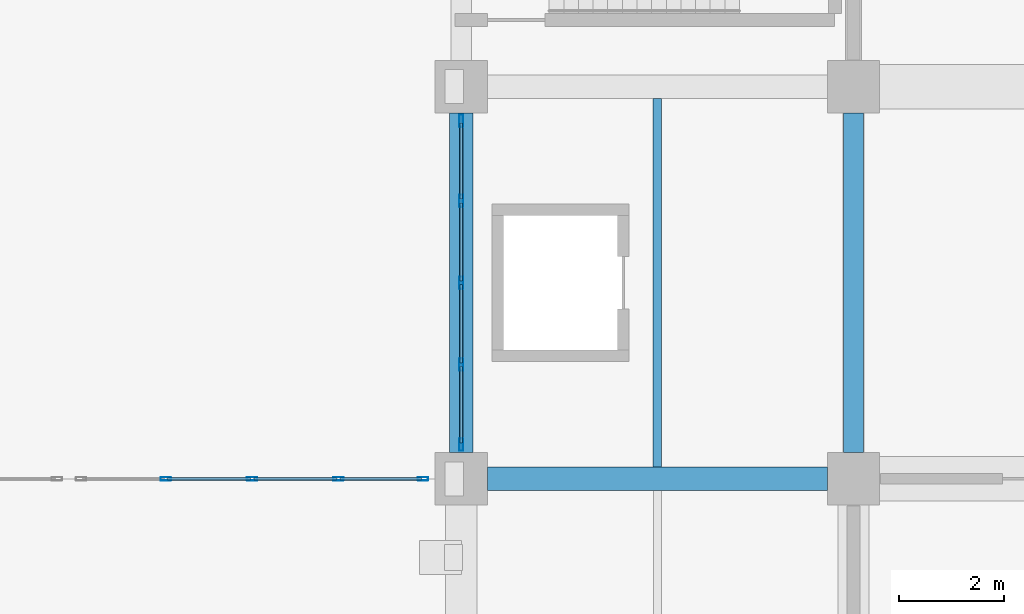
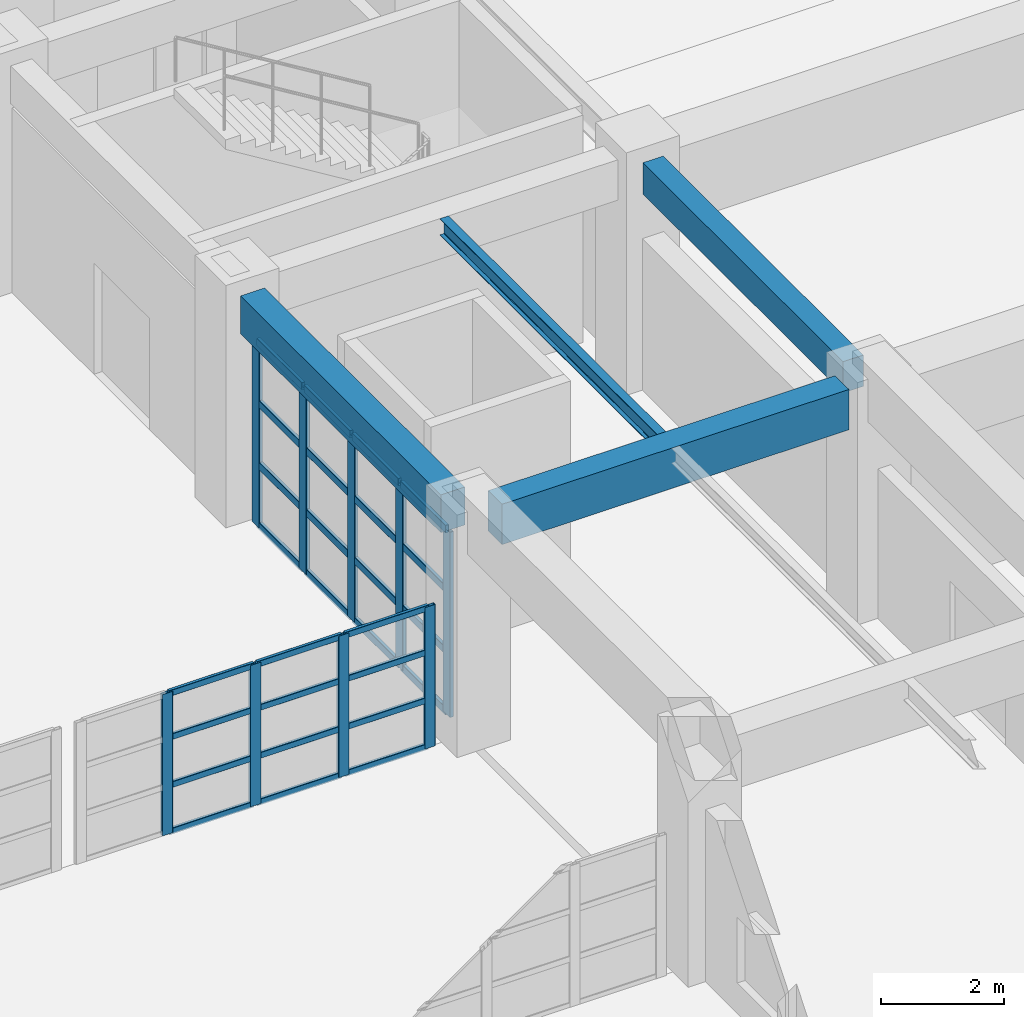
# One storey, part 20 of 122: 37 members, 4 beams, 2 elements without a shape of their own.
"""IFC4 building model written with IfcOpenShell, lengths in metres."""

from ifc_helpers import new_model, si_unit, direction, frame, origin, origin_2d, place, context, subcontext, project, spatial, rectangle, hollow_rectangle, i_section, extrude, material, material_profile, profile_set, type_object, element, aggregate, save


model = new_model("IFC4")

# Units and contexts
model_context = context("Model", 3, precision=1e-05, world=origin(), true_north=direction((0.0, 1.0)))
body_context = subcontext(model_context, "Body", "Model", "MODEL_VIEW")
ifc_project = project(units=[si_unit("LENGTHUNIT", "METRE"), si_unit("AREAUNIT", "SQUARE_METRE"), si_unit("VOLUMEUNIT", "CUBIC_METRE"), si_unit("PLANEANGLEUNIT", "RADIAN"), si_unit("MASSUNIT", "GRAM", prefix="KILO")], contexts=[model_context])

# Site, building, storey
site_placement = place(None, origin())
site = spatial("IfcSite", under=ifc_project, at=site_placement, CompositionType="ELEMENT")
building_placement = place(site_placement, origin())
building = spatial("IfcBuilding", under=site, at=building_placement, Name="Qasida Concert Hall", CompositionType="ELEMENT")
storey_placement = place(building_placement, origin())
storey = spatial("IfcBuildingStorey", under=building, at=storey_placement, Name="L00", CompositionType="ELEMENT", Elevation=0.0)

# Beams
ifc_material_1 = material(Name="Concrete C40/50", Category="concrete")
ifc_material_profile_1 = material_profile(ifc_material_1, rectangle(XDim=0.3798828125, YDim=0.6201171875, at=origin_2d()), Name="RC 380x620")
ifc_profile_set_1 = profile_set([ifc_material_profile_1], Name="Concrete C40/50")
beam_type_1 = type_object("IfcBeamType", Name="BM-B10", PredefinedType="BEAM", material=ifc_profile_set_1)
beam_1_placement = place(storey_placement, frame((60.0, 38.0, 4.18994140625), z_axis=(0.0, 1.0, 0.0), x_axis=(-1.0, 0.0, 0.0)))
element("IfcBeam", 1, at=beam_1_placement, inside=storey, type_object=beam_type_1, Name="L00 girder 0410", PredefinedType="BEAM", context=body_context, shape_type="SweptSolid", body=[
    extrude(rectangle(XDim=0.3798828125, YDim=0.6201171875, at=origin_2d()), origin(), (0.0, 0.0, 1.0), 6.5),
])
ifc_material_profile_2 = material_profile(ifc_material_1, rectangle(XDim=0.449951171875, YDim=0.800048828125, at=origin_2d()), Name="RC 450x800")
ifc_profile_set_2 = profile_set([ifc_material_profile_2], Name="Concrete C40/50")
beam_type_2 = type_object("IfcBeamType", Name="BM-G2", PredefinedType="USERDEFINED", material=ifc_profile_set_2)
beam_2_placement = place(storey_placement, frame((53.0, 37.5, 4.10009765625), z_axis=(1.0, 0.0, 0.0), x_axis=(0.0, 1.0, 0.0)))
element("IfcBeam", 2, at=beam_2_placement, inside=storey, type_object=beam_type_2, Name="Primary girder 0365", ObjectType="GIRDER", PredefinedType="USERDEFINED", context=body_context, shape_type="SweptSolid", body=[
    extrude(rectangle(XDim=0.449951171875, YDim=0.800048828125, at=origin_2d()), origin(), (0.0, 0.0, 1.0), 6.5),
])
ifc_material_2 = material(Name="Steel S355J2", Category="steel")
ifc_material_profile_3 = material_profile(ifc_material_2, i_section(OverallWidth=0.159912109375, OverallDepth=0.330078125, WebThickness=0.007568359375, FlangeThickness=0.011474609375, FilletRadius=0.01806640625, at=origin_2d()), Name="IPE 330")
ifc_profile_set_3 = profile_set([ifc_material_profile_3], Name="Steel S355J2")
beam_type_3 = type_object("IfcBeamType", Name="BM-J5", PredefinedType="JOIST", material=ifc_profile_set_3)
beam_3_placement = place(storey_placement, frame((56.25, 37.72509765625, 4.3349609375), z_axis=(0.0, 1.0, 0.0), x_axis=(-1.0, 0.0, 0.0)))
element("IfcBeam", 3, at=beam_3_placement, inside=storey, type_object=beam_type_3, Name="L00 secondary joist 0444", PredefinedType="JOIST", context=body_context, shape_type="SweptSolid", body=[
    extrude(i_section(OverallWidth=0.159912109375, OverallDepth=0.330078125, WebThickness=0.007568359375, FlangeThickness=0.011474609375, FilletRadius=0.01806640625, at=origin_2d()), origin(), (0.0, 0.0, 1.0), 7.0498046875),
])
ifc_material_profile_4 = material_profile(ifc_material_1, rectangle(XDim=0.449951171875, YDim=0.75, at=origin_2d()), Name="RC 450x750")
ifc_profile_set_4 = profile_set([ifc_material_profile_4], Name="Concrete C40/50")
beam_type_4 = type_object("IfcBeamType", Name="BM-SP4", PredefinedType="SPANDREL", material=ifc_profile_set_4)
beam_4_placement = place(storey_placement, frame((52.5, 38.0, 4.125), z_axis=(0.0, 1.0, 0.0), x_axis=(-1.0, 0.0, 0.0)))
element("IfcBeam", 4, at=beam_4_placement, inside=storey, type_object=beam_type_4, Name="L00 girder 0404", PredefinedType="SPANDREL", context=body_context, shape_type="SweptSolid", body=[
    extrude(rectangle(XDim=0.449951171875, YDim=0.75, at=origin_2d()), origin(), (0.0, 0.0, 1.0), 6.5),
])

# Curtain wall, members
ifc_material_3 = material(Name="Architectural bronze-anodized aluminium and low-E glass", Category="aluminium")
curtain_wall_type_1 = type_object("IfcCurtainWallType", Name="CW-01", PredefinedType="NOTDEFINED", material=ifc_material_3)
curtain_wall_1_placement = place(storey_placement, origin())
curtain_wall_1 = element("IfcCurtainWall", 5, at=curtain_wall_1_placement, inside=storey, type_object=curtain_wall_type_1, Name="L00 curtain wall CW-01 0037", PredefinedType="NOTDEFINED")
ifc_material_4 = material(Name="Architectural bronze-anodized aluminium EN AW-6063", Category="aluminium")
ifc_material_profile_5 = material_profile(ifc_material_4, hollow_rectangle(XDim=0.070068359375, YDim=0.239990234375, WallThickness=0.0048828125, InnerFilletRadius=0.0048828125, OuterFilletRadius=0.010009765625, at=origin_2d()), Name="CWM 240x70x5")
ifc_profile_set_5 = profile_set([ifc_material_profile_5], Name="Architectural bronze-anodized aluminium EN AW-6063")
member_type_1 = type_object("IfcMemberType", Name="MB-CWM-1", PredefinedType="MULLION", material=ifc_profile_set_5)
member_1_placement = place(storey_placement, frame((52.5, 38.155029296875, 0.0), z_axis=(0.0, 0.0, 1.0), x_axis=(-1.0, 0.0, 0.0)))
member_1 = element("IfcMember", 6, at=member_1_placement, type_object=member_type_1, Name="CW-01 mullion 1", PredefinedType="MULLION", context=body_context, shape_type="SweptSolid", body=[
    extrude(hollow_rectangle(XDim=0.070068359375, YDim=0.239990234375, WallThickness=0.0048828125, InnerFilletRadius=0.0048828125, OuterFilletRadius=0.010009765625, at=origin_2d()), origin(), (0.0, 0.0, 1.0), 3.669921875),
])
member_2_placement = place(storey_placement, frame((52.5, 39.68505859375, 0.0), z_axis=(0.0, 0.0, 1.0), x_axis=(-1.0, 0.0, 0.0)))
member_2 = element("IfcMember", 7, at=member_2_placement, type_object=member_type_1, Name="CW-01 mullion 2", PredefinedType="MULLION", context=body_context, shape_type="SweptSolid", body=[
    extrude(hollow_rectangle(XDim=0.070068359375, YDim=0.239990234375, WallThickness=0.0048828125, InnerFilletRadius=0.0048828125, OuterFilletRadius=0.010009765625, at=origin_2d()), origin(), (0.0, 0.0, 1.0), 3.669921875),
])
member_3_placement = place(storey_placement, frame((52.5, 41.25, 0.0), z_axis=(0.0, 0.0, 1.0), x_axis=(-1.0, 0.0, 0.0)))
member_3 = element("IfcMember", 8, at=member_3_placement, type_object=member_type_1, Name="CW-01 mullion 3", PredefinedType="MULLION", context=body_context, shape_type="SweptSolid", body=[
    extrude(hollow_rectangle(XDim=0.070068359375, YDim=0.239990234375, WallThickness=0.0048828125, InnerFilletRadius=0.0048828125, OuterFilletRadius=0.010009765625, at=origin_2d()), origin(), (0.0, 0.0, 1.0), 3.669921875),
])
member_4_placement = place(storey_placement, frame((52.5, 42.81494140625, 0.0), z_axis=(0.0, 0.0, 1.0), x_axis=(-1.0, 0.0, 0.0)))
member_4 = element("IfcMember", 9, at=member_4_placement, type_object=member_type_1, Name="CW-01 mullion 4", PredefinedType="MULLION", context=body_context, shape_type="SweptSolid", body=[
    extrude(hollow_rectangle(XDim=0.070068359375, YDim=0.239990234375, WallThickness=0.0048828125, InnerFilletRadius=0.0048828125, OuterFilletRadius=0.010009765625, at=origin_2d()), origin(), (0.0, 0.0, 1.0), 3.669921875),
])
member_5_placement = place(storey_placement, frame((52.5, 44.344970703125, 0.0), z_axis=(0.0, 0.0, 1.0), x_axis=(-1.0, 0.0, 0.0)))
member_5 = element("IfcMember", 10, at=member_5_placement, type_object=member_type_1, Name="CW-01 mullion 5", PredefinedType="MULLION", context=body_context, shape_type="SweptSolid", body=[
    extrude(hollow_rectangle(XDim=0.070068359375, YDim=0.239990234375, WallThickness=0.0048828125, InnerFilletRadius=0.0048828125, OuterFilletRadius=0.010009765625, at=origin_2d()), origin(), (0.0, 0.0, 1.0), 3.669921875),
])

curtain_wall_type_2 = type_object("IfcCurtainWallType", Name="CW-08", PredefinedType="NOTDEFINED", material=ifc_material_3)
curtain_wall_2_placement = place(storey_placement, origin())
curtain_wall_2 = element("IfcCurtainWall", 11, at=curtain_wall_2_placement, inside=storey, type_object=curtain_wall_type_2, Name="L00 link bridge glazing 0197", PredefinedType="NOTDEFINED")
ifc_material_profile_6 = material_profile(ifc_material_4, hollow_rectangle(XDim=0.06494140625, YDim=0.199951171875, WallThickness=0.0048828125, InnerFilletRadius=0.0048828125, OuterFilletRadius=0.010009765625, at=origin_2d()), Name="CWM 200x65x5")
ifc_profile_set_6 = profile_set([ifc_material_profile_6], Name="Architectural bronze-anodized aluminium EN AW-6063")
member_type_2 = type_object("IfcMemberType", Name="MB-CWM-2", PredefinedType="MULLION", material=ifc_profile_set_6)
member_6_placement = place(storey_placement, frame((46.85009765625, 37.5, 0.0), z_axis=(0.0, 0.0, 1.0), x_axis=(0.0, 1.0, 0.0)))
member_6 = element("IfcMember", 12, at=member_6_placement, type_object=member_type_2, Name="CW-08 mullion 2", PredefinedType="MULLION", context=body_context, shape_type="SweptSolid", body=[
    extrude(hollow_rectangle(XDim=0.06494140625, YDim=0.199951171875, WallThickness=0.0048828125, InnerFilletRadius=0.0048828125, OuterFilletRadius=0.010009765625, at=origin_2d()), origin(), (0.0, 0.0, 1.0), 2.800048828125),
])
member_7_placement = place(storey_placement, frame((48.5, 37.5, 0.0), z_axis=(0.0, 0.0, 1.0), x_axis=(0.0, 1.0, 0.0)))
member_7 = element("IfcMember", 13, at=member_7_placement, type_object=member_type_2, Name="CW-08 mullion 3", PredefinedType="MULLION", context=body_context, shape_type="SweptSolid", body=[
    extrude(hollow_rectangle(XDim=0.06494140625, YDim=0.199951171875, WallThickness=0.0048828125, InnerFilletRadius=0.0048828125, OuterFilletRadius=0.010009765625, at=origin_2d()), origin(), (0.0, 0.0, 1.0), 2.800048828125),
])
member_8_placement = place(storey_placement, frame((50.14990234375, 37.5, 0.0), z_axis=(0.0, 0.0, 1.0), x_axis=(0.0, 1.0, 0.0)))
member_8 = element("IfcMember", 14, at=member_8_placement, type_object=member_type_2, Name="CW-08 mullion 4", PredefinedType="MULLION", context=body_context, shape_type="SweptSolid", body=[
    extrude(hollow_rectangle(XDim=0.06494140625, YDim=0.199951171875, WallThickness=0.0048828125, InnerFilletRadius=0.0048828125, OuterFilletRadius=0.010009765625, at=origin_2d()), origin(), (0.0, 0.0, 1.0), 2.800048828125),
])
member_9_placement = place(storey_placement, frame((51.767578125, 37.5, 0.0), z_axis=(0.0, 0.0, 1.0), x_axis=(0.0, 1.0, 0.0)))
member_9 = element("IfcMember", 15, at=member_9_placement, type_object=member_type_2, Name="CW-08 mullion 5", PredefinedType="MULLION", context=body_context, shape_type="SweptSolid", body=[
    extrude(hollow_rectangle(XDim=0.06494140625, YDim=0.199951171875, WallThickness=0.0048828125, InnerFilletRadius=0.0048828125, OuterFilletRadius=0.010009765625, at=origin_2d()), origin(), (0.0, 0.0, 1.0), 2.800048828125),
])

# Member
ifc_material_profile_7 = material_profile(ifc_material_4, hollow_rectangle(XDim=0.06494140625, YDim=0.14990234375, WallThickness=0.00390625, InnerFilletRadius=0.00390625, OuterFilletRadius=0.008056640625, at=origin_2d()), Name="CWT 150x65x4")
ifc_profile_set_7 = profile_set([ifc_material_profile_7], Name="Architectural bronze-anodized aluminium EN AW-6063")
member_type_3 = type_object("IfcMemberType", Name="MB-CWT-1", PredefinedType="USERDEFINED", material=ifc_profile_set_7)
member_10_placement = place(storey_placement, frame((52.5, 38.18994140625, 0.032470703125), z_axis=(0.0, 1.0, 0.0), x_axis=(-1.0, 0.0, 0.0)))
member_10 = element("IfcMember", 16, at=member_10_placement, type_object=member_type_3, Name="CW-01 transom 1.1", ObjectType="TRANSOM", PredefinedType="USERDEFINED", context=body_context, shape_type="SweptSolid", body=[
    extrude(hollow_rectangle(XDim=0.06494140625, YDim=0.14990234375, WallThickness=0.00390625, InnerFilletRadius=0.00390625, OuterFilletRadius=0.008056640625, at=origin_2d()), origin(), (0.0, 0.0, 1.0), 1.4599609375),
])

member_11_placement = place(storey_placement, frame((52.5, 38.18994140625, 1.223388671875), z_axis=(0.0, 1.0, 0.0), x_axis=(-1.0, 0.0, 0.0)))
member_11 = element("IfcMember", 17, at=member_11_placement, type_object=member_type_3, Name="CW-01 transom 1.2", ObjectType="TRANSOM", PredefinedType="USERDEFINED", context=body_context, shape_type="SweptSolid", body=[
    extrude(hollow_rectangle(XDim=0.06494140625, YDim=0.14990234375, WallThickness=0.00390625, InnerFilletRadius=0.00390625, OuterFilletRadius=0.008056640625, at=origin_2d()), origin(), (0.0, 0.0, 1.0), 1.4599609375),
])

member_12_placement = place(storey_placement, frame((52.5, 38.18994140625, 2.44677734375), z_axis=(0.0, 1.0, 0.0), x_axis=(-1.0, 0.0, 0.0)))
member_12 = element("IfcMember", 18, at=member_12_placement, type_object=member_type_3, Name="CW-01 transom 1.3", ObjectType="TRANSOM", PredefinedType="USERDEFINED", context=body_context, shape_type="SweptSolid", body=[
    extrude(hollow_rectangle(XDim=0.06494140625, YDim=0.14990234375, WallThickness=0.00390625, InnerFilletRadius=0.00390625, OuterFilletRadius=0.008056640625, at=origin_2d()), origin(), (0.0, 0.0, 1.0), 1.4599609375),
])

member_13_placement = place(storey_placement, frame((52.5, 38.18994140625, 3.637451171875), z_axis=(0.0, 1.0, 0.0), x_axis=(-1.0, 0.0, 0.0)))
member_13 = element("IfcMember", 19, at=member_13_placement, type_object=member_type_3, Name="CW-01 transom 1.4", ObjectType="TRANSOM", PredefinedType="USERDEFINED", context=body_context, shape_type="SweptSolid", body=[
    extrude(hollow_rectangle(XDim=0.06494140625, YDim=0.14990234375, WallThickness=0.00390625, InnerFilletRadius=0.00390625, OuterFilletRadius=0.008056640625, at=origin_2d()), origin(), (0.0, 0.0, 1.0), 1.4599609375),
])

member_14_placement = place(storey_placement, frame((52.5, 39.719970703125, 0.032470703125), z_axis=(0.0, 1.0, 0.0), x_axis=(-1.0, 0.0, 0.0)))
member_14 = element("IfcMember", 20, at=member_14_placement, type_object=member_type_3, Name="CW-01 transom 2.1", ObjectType="TRANSOM", PredefinedType="USERDEFINED", context=body_context, shape_type="SweptSolid", body=[
    extrude(hollow_rectangle(XDim=0.06494140625, YDim=0.14990234375, WallThickness=0.00390625, InnerFilletRadius=0.00390625, OuterFilletRadius=0.008056640625, at=origin_2d()), origin(), (0.0, 0.0, 1.0), 1.4951171875),
])

member_15_placement = place(storey_placement, frame((52.5, 39.719970703125, 1.223388671875), z_axis=(0.0, 1.0, 0.0), x_axis=(-1.0, 0.0, 0.0)))
member_15 = element("IfcMember", 21, at=member_15_placement, type_object=member_type_3, Name="CW-01 transom 2.2", ObjectType="TRANSOM", PredefinedType="USERDEFINED", context=body_context, shape_type="SweptSolid", body=[
    extrude(hollow_rectangle(XDim=0.06494140625, YDim=0.14990234375, WallThickness=0.00390625, InnerFilletRadius=0.00390625, OuterFilletRadius=0.008056640625, at=origin_2d()), origin(), (0.0, 0.0, 1.0), 1.4951171875),
])

member_16_placement = place(storey_placement, frame((52.5, 39.719970703125, 2.44677734375), z_axis=(0.0, 1.0, 0.0), x_axis=(-1.0, 0.0, 0.0)))
member_16 = element("IfcMember", 22, at=member_16_placement, type_object=member_type_3, Name="CW-01 transom 2.3", ObjectType="TRANSOM", PredefinedType="USERDEFINED", context=body_context, shape_type="SweptSolid", body=[
    extrude(hollow_rectangle(XDim=0.06494140625, YDim=0.14990234375, WallThickness=0.00390625, InnerFilletRadius=0.00390625, OuterFilletRadius=0.008056640625, at=origin_2d()), origin(), (0.0, 0.0, 1.0), 1.4951171875),
])

member_17_placement = place(storey_placement, frame((52.5, 39.719970703125, 3.637451171875), z_axis=(0.0, 1.0, 0.0), x_axis=(-1.0, 0.0, 0.0)))
member_17 = element("IfcMember", 23, at=member_17_placement, type_object=member_type_3, Name="CW-01 transom 2.4", ObjectType="TRANSOM", PredefinedType="USERDEFINED", context=body_context, shape_type="SweptSolid", body=[
    extrude(hollow_rectangle(XDim=0.06494140625, YDim=0.14990234375, WallThickness=0.00390625, InnerFilletRadius=0.00390625, OuterFilletRadius=0.008056640625, at=origin_2d()), origin(), (0.0, 0.0, 1.0), 1.4951171875),
])

member_18_placement = place(storey_placement, frame((52.5, 41.284912109375, 0.032470703125), z_axis=(0.0, 1.0, 0.0), x_axis=(-1.0, 0.0, 0.0)))
member_18 = element("IfcMember", 24, at=member_18_placement, type_object=member_type_3, Name="CW-01 transom 3.1", ObjectType="TRANSOM", PredefinedType="USERDEFINED", context=body_context, shape_type="SweptSolid", body=[
    extrude(hollow_rectangle(XDim=0.06494140625, YDim=0.14990234375, WallThickness=0.00390625, InnerFilletRadius=0.00390625, OuterFilletRadius=0.008056640625, at=origin_2d()), origin(), (0.0, 0.0, 1.0), 1.4951171875),
])

member_19_placement = place(storey_placement, frame((52.5, 41.284912109375, 1.223388671875), z_axis=(0.0, 1.0, 0.0), x_axis=(-1.0, 0.0, 0.0)))
member_19 = element("IfcMember", 25, at=member_19_placement, type_object=member_type_3, Name="CW-01 transom 3.2", ObjectType="TRANSOM", PredefinedType="USERDEFINED", context=body_context, shape_type="SweptSolid", body=[
    extrude(hollow_rectangle(XDim=0.06494140625, YDim=0.14990234375, WallThickness=0.00390625, InnerFilletRadius=0.00390625, OuterFilletRadius=0.008056640625, at=origin_2d()), origin(), (0.0, 0.0, 1.0), 1.4951171875),
])

member_20_placement = place(storey_placement, frame((52.5, 41.284912109375, 2.44677734375), z_axis=(0.0, 1.0, 0.0), x_axis=(-1.0, 0.0, 0.0)))
member_20 = element("IfcMember", 26, at=member_20_placement, type_object=member_type_3, Name="CW-01 transom 3.3", ObjectType="TRANSOM", PredefinedType="USERDEFINED", context=body_context, shape_type="SweptSolid", body=[
    extrude(hollow_rectangle(XDim=0.06494140625, YDim=0.14990234375, WallThickness=0.00390625, InnerFilletRadius=0.00390625, OuterFilletRadius=0.008056640625, at=origin_2d()), origin(), (0.0, 0.0, 1.0), 1.4951171875),
])

member_21_placement = place(storey_placement, frame((52.5, 41.284912109375, 3.637451171875), z_axis=(0.0, 1.0, 0.0), x_axis=(-1.0, 0.0, 0.0)))
member_21 = element("IfcMember", 27, at=member_21_placement, type_object=member_type_3, Name="CW-01 transom 3.4", ObjectType="TRANSOM", PredefinedType="USERDEFINED", context=body_context, shape_type="SweptSolid", body=[
    extrude(hollow_rectangle(XDim=0.06494140625, YDim=0.14990234375, WallThickness=0.00390625, InnerFilletRadius=0.00390625, OuterFilletRadius=0.008056640625, at=origin_2d()), origin(), (0.0, 0.0, 1.0), 1.4951171875),
])

member_22_placement = place(storey_placement, frame((52.5, 42.85009765625, 0.032470703125), z_axis=(0.0, 1.0, 0.0), x_axis=(-1.0, 0.0, 0.0)))
member_22 = element("IfcMember", 28, at=member_22_placement, type_object=member_type_3, Name="CW-01 transom 4.1", ObjectType="TRANSOM", PredefinedType="USERDEFINED", context=body_context, shape_type="SweptSolid", body=[
    extrude(hollow_rectangle(XDim=0.06494140625, YDim=0.14990234375, WallThickness=0.00390625, InnerFilletRadius=0.00390625, OuterFilletRadius=0.008056640625, at=origin_2d()), origin(), (0.0, 0.0, 1.0), 1.4599609375),
])

member_23_placement = place(storey_placement, frame((52.5, 42.85009765625, 1.223388671875), z_axis=(0.0, 1.0, 0.0), x_axis=(-1.0, 0.0, 0.0)))
member_23 = element("IfcMember", 29, at=member_23_placement, type_object=member_type_3, Name="CW-01 transom 4.2", ObjectType="TRANSOM", PredefinedType="USERDEFINED", context=body_context, shape_type="SweptSolid", body=[
    extrude(hollow_rectangle(XDim=0.06494140625, YDim=0.14990234375, WallThickness=0.00390625, InnerFilletRadius=0.00390625, OuterFilletRadius=0.008056640625, at=origin_2d()), origin(), (0.0, 0.0, 1.0), 1.4599609375),
])

member_24_placement = place(storey_placement, frame((52.5, 42.85009765625, 2.44677734375), z_axis=(0.0, 1.0, 0.0), x_axis=(-1.0, 0.0, 0.0)))
member_24 = element("IfcMember", 30, at=member_24_placement, type_object=member_type_3, Name="CW-01 transom 4.3", ObjectType="TRANSOM", PredefinedType="USERDEFINED", context=body_context, shape_type="SweptSolid", body=[
    extrude(hollow_rectangle(XDim=0.06494140625, YDim=0.14990234375, WallThickness=0.00390625, InnerFilletRadius=0.00390625, OuterFilletRadius=0.008056640625, at=origin_2d()), origin(), (0.0, 0.0, 1.0), 1.4599609375),
])

member_25_placement = place(storey_placement, frame((52.5, 42.85009765625, 3.637451171875), z_axis=(0.0, 1.0, 0.0), x_axis=(-1.0, 0.0, 0.0)))
member_25 = element("IfcMember", 31, at=member_25_placement, type_object=member_type_3, Name="CW-01 transom 4.4", ObjectType="TRANSOM", PredefinedType="USERDEFINED", context=body_context, shape_type="SweptSolid", body=[
    extrude(hollow_rectangle(XDim=0.06494140625, YDim=0.14990234375, WallThickness=0.00390625, InnerFilletRadius=0.00390625, OuterFilletRadius=0.008056640625, at=origin_2d()), origin(), (0.0, 0.0, 1.0), 1.4599609375),
])

aggregate(curtain_wall_1, [member_1, member_2, member_3, member_4, member_5, member_10, member_11, member_12, member_13, member_14, member_15, member_16, member_17, member_18, member_19, member_20, member_21, member_22, member_23, member_24, member_25])

ifc_material_profile_8 = material_profile(ifc_material_4, hollow_rectangle(XDim=0.06005859375, YDim=0.1201171875, WallThickness=0.00390625, InnerFilletRadius=0.00390625, OuterFilletRadius=0.008056640625, at=origin_2d()), Name="CWT 120x60x4")
ifc_profile_set_8 = profile_set([ifc_material_profile_8], Name="Architectural bronze-anodized aluminium EN AW-6063")
member_type_4 = type_object("IfcMemberType", Name="MB-CWT-2", PredefinedType="USERDEFINED", material=ifc_profile_set_8)
member_26_placement = place(storey_placement, frame((46.882568359375, 37.5, 0.030029296875), z_axis=(1.0, 0.0, 0.0), x_axis=(0.0, 1.0, 0.0)))
member_26 = element("IfcMember", 32, at=member_26_placement, type_object=member_type_4, Name="CW-08 transom 2.1", ObjectType="TRANSOM", PredefinedType="USERDEFINED", context=body_context, shape_type="SweptSolid", body=[
    extrude(hollow_rectangle(XDim=0.06005859375, YDim=0.1201171875, WallThickness=0.00390625, InnerFilletRadius=0.00390625, OuterFilletRadius=0.008056640625, at=origin_2d()), origin(), (0.0, 0.0, 1.0), 1.5849609375),
])

member_27_placement = place(storey_placement, frame((46.882568359375, 37.5, 0.949951171875), z_axis=(1.0, 0.0, 0.0), x_axis=(0.0, 1.0, 0.0)))
member_27 = element("IfcMember", 33, at=member_27_placement, type_object=member_type_4, Name="CW-08 transom 2.2", ObjectType="TRANSOM", PredefinedType="USERDEFINED", context=body_context, shape_type="SweptSolid", body=[
    extrude(hollow_rectangle(XDim=0.06005859375, YDim=0.1201171875, WallThickness=0.00390625, InnerFilletRadius=0.00390625, OuterFilletRadius=0.008056640625, at=origin_2d()), origin(), (0.0, 0.0, 1.0), 1.5849609375),
])

member_28_placement = place(storey_placement, frame((46.882568359375, 37.5, 1.89990234375), z_axis=(1.0, 0.0, 0.0), x_axis=(0.0, 1.0, 0.0)))
member_28 = element("IfcMember", 34, at=member_28_placement, type_object=member_type_4, Name="CW-08 transom 2.3", ObjectType="TRANSOM", PredefinedType="USERDEFINED", context=body_context, shape_type="SweptSolid", body=[
    extrude(hollow_rectangle(XDim=0.06005859375, YDim=0.1201171875, WallThickness=0.00390625, InnerFilletRadius=0.00390625, OuterFilletRadius=0.008056640625, at=origin_2d()), origin(), (0.0, 0.0, 1.0), 1.5849609375),
])

member_29_placement = place(storey_placement, frame((46.882568359375, 37.5, 2.77001953125), z_axis=(1.0, 0.0, 0.0), x_axis=(0.0, 1.0, 0.0)))
member_29 = element("IfcMember", 35, at=member_29_placement, type_object=member_type_4, Name="CW-08 transom 2.4", ObjectType="TRANSOM", PredefinedType="USERDEFINED", context=body_context, shape_type="SweptSolid", body=[
    extrude(hollow_rectangle(XDim=0.06005859375, YDim=0.1201171875, WallThickness=0.00390625, InnerFilletRadius=0.00390625, OuterFilletRadius=0.008056640625, at=origin_2d()), origin(), (0.0, 0.0, 1.0), 1.5849609375),
])

member_30_placement = place(storey_placement, frame((48.532470703125, 37.5, 0.030029296875), z_axis=(1.0, 0.0, 0.0), x_axis=(0.0, 1.0, 0.0)))
member_30 = element("IfcMember", 36, at=member_30_placement, type_object=member_type_4, Name="CW-08 transom 3.1", ObjectType="TRANSOM", PredefinedType="USERDEFINED", context=body_context, shape_type="SweptSolid", body=[
    extrude(hollow_rectangle(XDim=0.06005859375, YDim=0.1201171875, WallThickness=0.00390625, InnerFilletRadius=0.00390625, OuterFilletRadius=0.008056640625, at=origin_2d()), origin(), (0.0, 0.0, 1.0), 1.5849609375),
])

member_31_placement = place(storey_placement, frame((48.532470703125, 37.5, 0.949951171875), z_axis=(1.0, 0.0, 0.0), x_axis=(0.0, 1.0, 0.0)))
member_31 = element("IfcMember", 37, at=member_31_placement, type_object=member_type_4, Name="CW-08 transom 3.2", ObjectType="TRANSOM", PredefinedType="USERDEFINED", context=body_context, shape_type="SweptSolid", body=[
    extrude(hollow_rectangle(XDim=0.06005859375, YDim=0.1201171875, WallThickness=0.00390625, InnerFilletRadius=0.00390625, OuterFilletRadius=0.008056640625, at=origin_2d()), origin(), (0.0, 0.0, 1.0), 1.5849609375),
])

member_32_placement = place(storey_placement, frame((48.532470703125, 37.5, 1.89990234375), z_axis=(1.0, 0.0, 0.0), x_axis=(0.0, 1.0, 0.0)))
member_32 = element("IfcMember", 38, at=member_32_placement, type_object=member_type_4, Name="CW-08 transom 3.3", ObjectType="TRANSOM", PredefinedType="USERDEFINED", context=body_context, shape_type="SweptSolid", body=[
    extrude(hollow_rectangle(XDim=0.06005859375, YDim=0.1201171875, WallThickness=0.00390625, InnerFilletRadius=0.00390625, OuterFilletRadius=0.008056640625, at=origin_2d()), origin(), (0.0, 0.0, 1.0), 1.5849609375),
])

member_33_placement = place(storey_placement, frame((48.532470703125, 37.5, 2.77001953125), z_axis=(1.0, 0.0, 0.0), x_axis=(0.0, 1.0, 0.0)))
member_33 = element("IfcMember", 39, at=member_33_placement, type_object=member_type_4, Name="CW-08 transom 3.4", ObjectType="TRANSOM", PredefinedType="USERDEFINED", context=body_context, shape_type="SweptSolid", body=[
    extrude(hollow_rectangle(XDim=0.06005859375, YDim=0.1201171875, WallThickness=0.00390625, InnerFilletRadius=0.00390625, OuterFilletRadius=0.008056640625, at=origin_2d()), origin(), (0.0, 0.0, 1.0), 1.5849609375),
])

member_34_placement = place(storey_placement, frame((50.1826171875, 37.5, 0.030029296875), z_axis=(1.0, 0.0, 0.0), x_axis=(0.0, 1.0, 0.0)))
member_34 = element("IfcMember", 40, at=member_34_placement, type_object=member_type_4, Name="CW-08 transom 4.1", ObjectType="TRANSOM", PredefinedType="USERDEFINED", context=body_context, shape_type="SweptSolid", body=[
    extrude(hollow_rectangle(XDim=0.06005859375, YDim=0.1201171875, WallThickness=0.00390625, InnerFilletRadius=0.00390625, OuterFilletRadius=0.008056640625, at=origin_2d()), origin(), (0.0, 0.0, 1.0), 1.552490234375),
])

member_35_placement = place(storey_placement, frame((50.1826171875, 37.5, 0.949951171875), z_axis=(1.0, 0.0, 0.0), x_axis=(0.0, 1.0, 0.0)))
member_35 = element("IfcMember", 41, at=member_35_placement, type_object=member_type_4, Name="CW-08 transom 4.2", ObjectType="TRANSOM", PredefinedType="USERDEFINED", context=body_context, shape_type="SweptSolid", body=[
    extrude(hollow_rectangle(XDim=0.06005859375, YDim=0.1201171875, WallThickness=0.00390625, InnerFilletRadius=0.00390625, OuterFilletRadius=0.008056640625, at=origin_2d()), origin(), (0.0, 0.0, 1.0), 1.552490234375),
])

member_36_placement = place(storey_placement, frame((50.1826171875, 37.5, 1.89990234375), z_axis=(1.0, 0.0, 0.0), x_axis=(0.0, 1.0, 0.0)))
member_36 = element("IfcMember", 42, at=member_36_placement, type_object=member_type_4, Name="CW-08 transom 4.3", ObjectType="TRANSOM", PredefinedType="USERDEFINED", context=body_context, shape_type="SweptSolid", body=[
    extrude(hollow_rectangle(XDim=0.06005859375, YDim=0.1201171875, WallThickness=0.00390625, InnerFilletRadius=0.00390625, OuterFilletRadius=0.008056640625, at=origin_2d()), origin(), (0.0, 0.0, 1.0), 1.552490234375),
])

member_37_placement = place(storey_placement, frame((50.1826171875, 37.5, 2.77001953125), z_axis=(1.0, 0.0, 0.0), x_axis=(0.0, 1.0, 0.0)))
member_37 = element("IfcMember", 43, at=member_37_placement, type_object=member_type_4, Name="CW-08 transom 4.4", ObjectType="TRANSOM", PredefinedType="USERDEFINED", context=body_context, shape_type="SweptSolid", body=[
    extrude(hollow_rectangle(XDim=0.06005859375, YDim=0.1201171875, WallThickness=0.00390625, InnerFilletRadius=0.00390625, OuterFilletRadius=0.008056640625, at=origin_2d()), origin(), (0.0, 0.0, 1.0), 1.552490234375),
])

aggregate(curtain_wall_2, [member_6, member_7, member_8, member_9, member_26, member_27, member_28, member_29, member_30, member_31, member_32, member_33, member_34, member_35, member_36, member_37])

save(model, "model.ifc")
